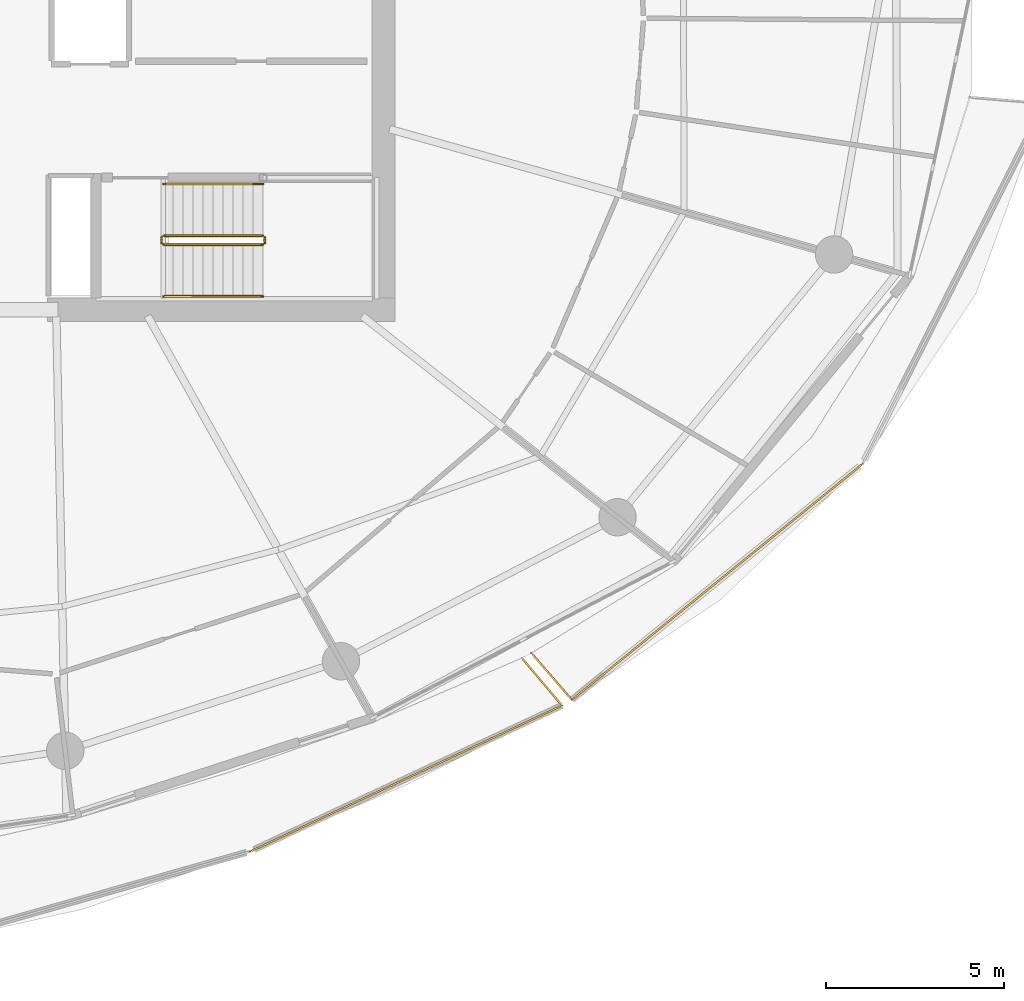
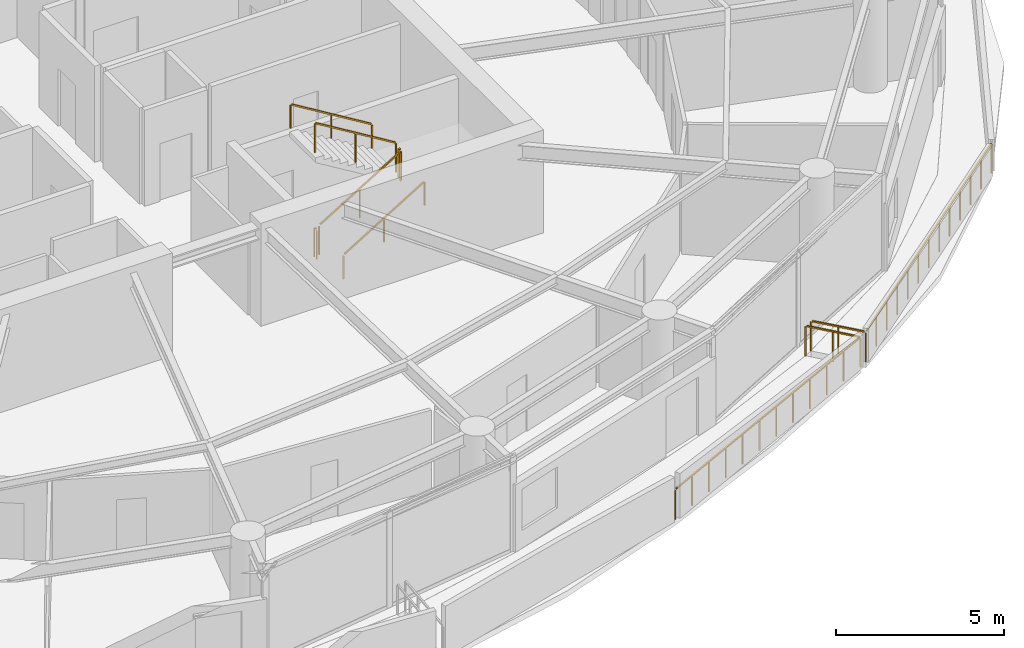
# One storey, part 18 of 20: 10 railings.
"""IFC4 building model written with IfcOpenShell, lengths in metres."""

from ifc_helpers import new_model, si_unit, direction, frame, origin, origin_2d, place, context, subcontext, project, spatial, rectangle, extrude, material, type_object, element, save


model = new_model("IFC4")

# Units and contexts
model_context = context("Model", 3, precision=1e-05, world=origin(), true_north=direction((0.0, 1.0)))
body_context = subcontext(model_context, "Body", "Model", "MODEL_VIEW")
ifc_project = project(units=[si_unit("LENGTHUNIT", "METRE"), si_unit("AREAUNIT", "SQUARE_METRE"), si_unit("VOLUMEUNIT", "CUBIC_METRE"), si_unit("PLANEANGLEUNIT", "RADIAN"), si_unit("MASSUNIT", "GRAM", prefix="KILO")], contexts=[model_context])

# Site, building, storey
site_placement = place(None, origin())
site = spatial("IfcSite", under=ifc_project, at=site_placement, CompositionType="ELEMENT")
building_placement = place(site_placement, origin())
building = spatial("IfcBuilding", under=site, at=building_placement, Name="Kazma Halo Residences", CompositionType="ELEMENT")
storey_placement = place(building_placement, frame((0.0, 0.0, 202.800048828125)))
storey = spatial("IfcBuildingStorey", under=building, at=storey_placement, Name="L51", CompositionType="ELEMENT", Elevation=202.800048828125)

# Railings
ifc_material_1 = material(Name="Aluminium AW-6063 T6 Brushed Cap Rail", Category="aluminium")
railing_type_1 = type_object("IfcRailingType", Name="RLG-BAL-CAP-1120", PredefinedType="BALUSTRADE", material=ifc_material_1)
railing_1_placement = place(storey_placement, frame((55.64306640625, 18.476806640625, 0.0)))
element("IfcRailing", 1, at=railing_1_placement, inside=storey, type_object=railing_type_1, Name="L51 SSE wave balcony guard 3", PredefinedType="BALUSTRADE", context=body_context, shape_type="SweptSolid", body=[
    extrude(rectangle(XDim=0.050048828125, YDim=0.050048828125, at=origin_2d()), frame((0.03857421875, 0.01806640625, 1.09521484375), z_axis=(0.905658005757, 0.424008934585, 0.0), x_axis=(-0.424008934585, 0.905658005757, 0.0)), (0.0, 0.0, 1.0), 9.572021484375),
    extrude(rectangle(XDim=0.0400390625, YDim=0.0400390625, at=origin_2d()), origin(), (0.0, 0.0, 1.0), 1.05810546875),
    extrude(rectangle(XDim=0.0400390625, YDim=0.0400390625, at=origin_2d()), frame((0.795166015625, 0.372314453125, 0.0)), (0.0, 0.0, 1.0), 1.05810546875),
    extrude(rectangle(XDim=0.0400390625, YDim=0.0400390625, at=origin_2d()), frame((1.590087890625, 0.744384765625, 0.0)), (0.0, 0.0, 1.0), 1.05810546875),
    extrude(rectangle(XDim=0.0400390625, YDim=0.0400390625, at=origin_2d()), frame((2.38525390625, 1.11669921875, 0.0)), (0.0, 0.0, 1.0), 1.05810546875),
    extrude(rectangle(XDim=0.0400390625, YDim=0.0400390625, at=origin_2d()), frame((3.180419921875, 1.489013671875, 0.0)), (0.0, 0.0, 1.0), 1.05810546875),
    extrude(rectangle(XDim=0.0400390625, YDim=0.0400390625, at=origin_2d()), frame((3.9755859375, 1.861328125, 0.0)), (0.0, 0.0, 1.0), 1.05810546875),
    extrude(rectangle(XDim=0.0400390625, YDim=0.0400390625, at=origin_2d()), frame((4.7705078125, 2.2333984375, 0.0)), (0.0, 0.0, 1.0), 1.05810546875),
    extrude(rectangle(XDim=0.0400390625, YDim=0.0400390625, at=origin_2d()), frame((5.565673828125, 2.605712890625, 0.0)), (0.0, 0.0, 1.0), 1.05810546875),
    extrude(rectangle(XDim=0.0400390625, YDim=0.0400390625, at=origin_2d()), frame((6.36083984375, 2.97802734375, 0.0)), (0.0, 0.0, 1.0), 1.05810546875),
    extrude(rectangle(XDim=0.0400390625, YDim=0.0400390625, at=origin_2d()), frame((7.156005859375, 3.350341796875, 0.0)), (0.0, 0.0, 1.0), 1.05810546875),
    extrude(rectangle(XDim=0.0400390625, YDim=0.0400390625, at=origin_2d()), frame((7.950927734375, 3.722412109375, 0.0)), (0.0, 0.0, 1.0), 1.05810546875),
    extrude(rectangle(XDim=0.0400390625, YDim=0.0400390625, at=origin_2d()), frame((8.74609375, 4.0947265625, 0.0)), (0.0, 0.0, 1.0), 1.05810546875),
])
railing_2_placement = place(storey_placement, frame((64.38916015625, 22.571533203125, 0.0)))
element("IfcRailing", 2, at=railing_2_placement, inside=storey, type_object=railing_type_1, Name="L51 SSE wave balcony guard 4", PredefinedType="BALUSTRADE", context=body_context, shape_type="SweptSolid", body=[
    extrude(rectangle(XDim=0.050048828125, YDim=0.050048828125, at=origin_2d()), frame((-0.02734375, 0.032470703125, 1.09521484375), z_axis=(-0.644717584912, 0.764420849863, 0.0), x_axis=(-0.764420849863, -0.644717584912, 0.0)), (0.0, 0.0, 1.0), 1.65869140625),
    extrude(rectangle(XDim=0.0400390625, YDim=0.0400390625, at=origin_2d()), origin(), (0.0, 0.0, 1.0), 1.05810546875),
    extrude(rectangle(XDim=0.0400390625, YDim=0.0400390625, at=origin_2d()), frame((-0.56201171875, 0.66650390625, 0.0)), (0.0, 0.0, 1.0), 1.05810546875),
    extrude(rectangle(XDim=0.0400390625, YDim=0.0400390625, at=origin_2d()), frame((-1.124267578125, 1.3330078125, 0.0)), (0.0, 0.0, 1.0), 1.05810546875),
])
railing_3_placement = place(storey_placement, frame((63.528564453125, 24.041748046875, 0.0)))
element("IfcRailing", 3, at=railing_3_placement, inside=storey, type_object=railing_type_1, Name="L51 SE wave balcony guard 1", PredefinedType="BALUSTRADE", context=body_context, shape_type="SweptSolid", body=[
    extrude(rectangle(XDim=0.050048828125, YDim=0.050048828125, at=origin_2d()), frame((0.02783203125, -0.0322265625, 1.09521484375), z_axis=(0.654099710021, -0.756408335061, 0.0), x_axis=(0.756408335061, 0.654099710021, 0.0)), (0.0, 0.0, 1.0), 1.649658203125),
    extrude(rectangle(XDim=0.0400390625, YDim=0.0400390625, at=origin_2d()), origin(), (0.0, 0.0, 1.0), 1.05810546875),
    extrude(rectangle(XDim=0.0400390625, YDim=0.0400390625, at=origin_2d()), frame((0.5673828125, -0.65625, 0.0)), (0.0, 0.0, 1.0), 1.05810546875),
    extrude(rectangle(XDim=0.0400390625, YDim=0.0400390625, at=origin_2d()), frame((1.134765625, -1.312255859375, 0.0)), (0.0, 0.0, 1.0), 1.05810546875),
])
railing_4_placement = place(storey_placement, frame((64.663330078125, 22.7294921875, 0.0)))
element("IfcRailing", 4, at=railing_4_placement, inside=storey, type_object=railing_type_1, Name="L51 SE wave balcony guard 2", PredefinedType="BALUSTRADE", context=body_context, shape_type="SweptSolid", body=[
    extrude(rectangle(XDim=0.050048828125, YDim=0.050048828125, at=origin_2d()), frame((0.032958984375, 0.02685546875, 1.09521484375), z_axis=(0.77646847303, 0.630156100019, 0.0), x_axis=(-0.630156100019, 0.77646847303, 0.0)), (0.0, 0.0, 1.0), 10.423828125),
    extrude(rectangle(XDim=0.0400390625, YDim=0.0400390625, at=origin_2d()), origin(), (0.0, 0.0, 1.0), 1.05810546875),
    extrude(rectangle(XDim=0.0400390625, YDim=0.0400390625, at=origin_2d()), frame((0.679931640625, 0.5517578125, 0.0)), (0.0, 0.0, 1.0), 1.05810546875),
    extrude(rectangle(XDim=0.0400390625, YDim=0.0400390625, at=origin_2d()), frame((1.35986328125, 1.103759765625, 0.0)), (0.0, 0.0, 1.0), 1.05810546875),
    extrude(rectangle(XDim=0.0400390625, YDim=0.0400390625, at=origin_2d()), frame((2.0400390625, 1.655517578125, 0.0)), (0.0, 0.0, 1.0), 1.05810546875),
    extrude(rectangle(XDim=0.0400390625, YDim=0.0400390625, at=origin_2d()), frame((2.719970703125, 2.20751953125, 0.0)), (0.0, 0.0, 1.0), 1.05810546875),
    extrude(rectangle(XDim=0.0400390625, YDim=0.0400390625, at=origin_2d()), frame((3.39990234375, 2.75927734375, 0.0)), (0.0, 0.0, 1.0), 1.05810546875),
    extrude(rectangle(XDim=0.0400390625, YDim=0.0400390625, at=origin_2d()), frame((4.080078125, 3.31103515625, 0.0)), (0.0, 0.0, 1.0), 1.05810546875),
    extrude(rectangle(XDim=0.0400390625, YDim=0.0400390625, at=origin_2d()), frame((4.760009765625, 3.863037109375, 0.0)), (0.0, 0.0, 1.0), 1.05810546875),
    extrude(rectangle(XDim=0.0400390625, YDim=0.0400390625, at=origin_2d()), frame((5.43994140625, 4.414794921875, 0.0)), (0.0, 0.0, 1.0), 1.05810546875),
    extrude(rectangle(XDim=0.0400390625, YDim=0.0400390625, at=origin_2d()), frame((6.119873046875, 4.966796875, 0.0)), (0.0, 0.0, 1.0), 1.05810546875),
    extrude(rectangle(XDim=0.0400390625, YDim=0.0400390625, at=origin_2d()), frame((6.7998046875, 5.5185546875, 0.0)), (0.0, 0.0, 1.0), 1.05810546875),
    extrude(rectangle(XDim=0.0400390625, YDim=0.0400390625, at=origin_2d()), frame((7.47998046875, 6.070556640625, 0.0)), (0.0, 0.0, 1.0), 1.05810546875),
    extrude(rectangle(XDim=0.0400390625, YDim=0.0400390625, at=origin_2d()), frame((8.159912109375, 6.622314453125, 0.0)), (0.0, 0.0, 1.0), 1.05810546875),
])
ifc_material_2 = material(Name="Painted Steel S355", Category="steel")
railing_type_2 = type_object("IfcRailingType", Name="RLG-STAIR-GRD-1100", PredefinedType="GUARDRAIL", material=ifc_material_2)
railing_5_placement = place(storey_placement, frame((53.199951171875, 35.5, 0.17041015625)))
element("IfcRailing", 5, at=railing_5_placement, inside=storey, type_object=railing_type_2, Name="L51 ST-03 stair guard 1", PredefinedType="GUARDRAIL", context=body_context, shape_type="SweptSolid", body=[
    extrude(rectangle(XDim=0.050048828125, YDim=0.050048828125, at=origin_2d()), frame((0.036376953125, 0.0, 1.09716796875), z_axis=(0.854169791009, 0.0, 0.51999420009), x_axis=(0.0, 1.0, 0.0)), (0.0, 0.0, 1.0), 3.193115234375),
    extrude(rectangle(XDim=0.0400390625, YDim=0.0400390625, at=origin_2d()), origin(), (0.0, 0.0, 1.0), 1.0380859375),
    extrude(rectangle(XDim=0.0400390625, YDim=0.0400390625, at=origin_2d()), frame((1.39990234375, 0.0, 0.852294921875)), (0.0, 0.0, 1.0), 1.0380859375),
    extrude(rectangle(XDim=0.0400390625, YDim=0.0400390625, at=origin_2d()), frame((2.800048828125, 0.0, 1.70458984375)), (0.0, 0.0, 1.0), 1.0380859375),
])
railing_6_placement = place(storey_placement, frame((56.050048828125, 35.550048828125, 1.875)))
element("IfcRailing", 6, at=railing_6_placement, inside=storey, type_object=railing_type_2, Name="L51 ST-03 stair guard 2", PredefinedType="GUARDRAIL", context=body_context, shape_type="SweptSolid", body=[
    extrude(rectangle(XDim=0.050048828125, YDim=0.050048828125, at=origin_2d()), frame((0.0, 0.04248046875, 1.0751953125), z_axis=(0.0, 1.0, 0.0), x_axis=(-1.0, 0.0, 0.0)), (0.0, 0.0, 1.0), 0.06494140625),
    extrude(rectangle(XDim=0.0400390625, YDim=0.0400390625, at=origin_2d()), origin(), (0.0, 0.0, 1.0), 1.0380859375),
    extrude(rectangle(XDim=0.0400390625, YDim=0.0400390625, at=origin_2d()), frame((0.0, 0.14990234375, 0.0)), (0.0, 0.0, 1.0), 1.0380859375),
])
railing_7_placement = place(storey_placement, frame((56.0, 35.75, 2.04541015625)))
element("IfcRailing", 7, at=railing_7_placement, inside=storey, type_object=railing_type_2, Name="L51 ST-03 stair guard 3", PredefinedType="GUARDRAIL", context=body_context, shape_type="SweptSolid", body=[
    extrude(rectangle(XDim=0.050048828125, YDim=0.050048828125, at=origin_2d()), frame((-0.036376953125, 0.0, 1.09716796875), z_axis=(-0.854169791009, 0.0, 0.51999420009), x_axis=(0.0, -1.0, 0.0)), (0.0, 0.0, 1.0), 3.193115234375),
    extrude(rectangle(XDim=0.0400390625, YDim=0.0400390625, at=origin_2d()), origin(), (0.0, 0.0, 1.0), 1.0380859375),
    extrude(rectangle(XDim=0.0400390625, YDim=0.0400390625, at=origin_2d()), frame((-1.39990234375, 0.0, 0.852294921875)), (0.0, 0.0, 1.0), 1.0380859375),
    extrude(rectangle(XDim=0.0400390625, YDim=0.0400390625, at=origin_2d()), frame((-2.800048828125, 0.0, 1.70458984375)), (0.0, 0.0, 1.0), 1.0380859375),
])
railing_8_placement = place(storey_placement, frame((53.14990234375, 35.550048828125, 0.0)))
element("IfcRailing", 8, at=railing_8_placement, inside=storey, type_object=railing_type_2, Name="L51 ST-03 stair guard 4", PredefinedType="GUARDRAIL", context=body_context, shape_type="SweptSolid", body=[
    extrude(rectangle(XDim=0.050048828125, YDim=0.050048828125, at=origin_2d()), frame((0.0, 0.04248046875, 1.0751953125), z_axis=(0.0, 1.0, 0.0), x_axis=(-1.0, 0.0, 0.0)), (0.0, 0.0, 1.0), 0.06494140625),
    extrude(rectangle(XDim=0.0400390625, YDim=0.0400390625, at=origin_2d()), origin(), (0.0, 0.0, 1.0), 1.0380859375),
    extrude(rectangle(XDim=0.0400390625, YDim=0.0400390625, at=origin_2d()), frame((0.0, 0.14990234375, 0.0)), (0.0, 0.0, 1.0), 1.0380859375),
])
ifc_material_3 = material(Name="Brushed Stainless Steel", Category="steel")
railing_type_3 = type_object("IfcRailingType", Name="RLG-STAIR-HND-900", PredefinedType="HANDRAIL", material=ifc_material_3)
railing_9_placement = place(storey_placement, frame((53.199951171875, 34.050048828125, 0.17041015625)))
element("IfcRailing", 9, at=railing_9_placement, inside=storey, type_object=railing_type_3, Name="L51 ST-03 stair handrail 1", PredefinedType="HANDRAIL", context=body_context, shape_type="SweptSolid", body=[
    extrude(rectangle(XDim=0.050048828125, YDim=0.050048828125, at=origin_2d()), frame((0.036376953125, 0.0, 0.89697265625), z_axis=(0.854169791009, 0.0, 0.51999420009), x_axis=(0.0, 1.0, 0.0)), (0.0, 0.0, 1.0), 3.193115234375),
    extrude(rectangle(XDim=0.0400390625, YDim=0.0400390625, at=origin_2d()), origin(), (0.0, 0.0, 1.0), 0.837890625),
    extrude(rectangle(XDim=0.0400390625, YDim=0.0400390625, at=origin_2d()), frame((1.39990234375, 0.0, 0.852294921875)), (0.0, 0.0, 1.0), 0.837890625),
    extrude(rectangle(XDim=0.0400390625, YDim=0.0400390625, at=origin_2d()), frame((2.800048828125, 0.0, 1.70458984375)), (0.0, 0.0, 1.0), 0.837890625),
])
railing_10_placement = place(storey_placement, frame((56.0, 37.199951171875, 2.04541015625)))
element("IfcRailing", 10, at=railing_10_placement, inside=storey, type_object=railing_type_3, Name="L51 ST-03 stair handrail 2", PredefinedType="HANDRAIL", context=body_context, shape_type="SweptSolid", body=[
    extrude(rectangle(XDim=0.050048828125, YDim=0.050048828125, at=origin_2d()), frame((-0.036376953125, 0.0, 0.89697265625), z_axis=(-0.854169791009, 0.0, 0.51999420009), x_axis=(0.0, -1.0, 0.0)), (0.0, 0.0, 1.0), 3.193115234375),
    extrude(rectangle(XDim=0.0400390625, YDim=0.0400390625, at=origin_2d()), origin(), (0.0, 0.0, 1.0), 0.837890625),
    extrude(rectangle(XDim=0.0400390625, YDim=0.0400390625, at=origin_2d()), frame((-1.39990234375, 0.0, 0.852294921875)), (0.0, 0.0, 1.0), 0.837890625),
    extrude(rectangle(XDim=0.0400390625, YDim=0.0400390625, at=origin_2d()), frame((-2.800048828125, 0.0, 1.70458984375)), (0.0, 0.0, 1.0), 0.837890625),
])

save(model, "model.ifc")
